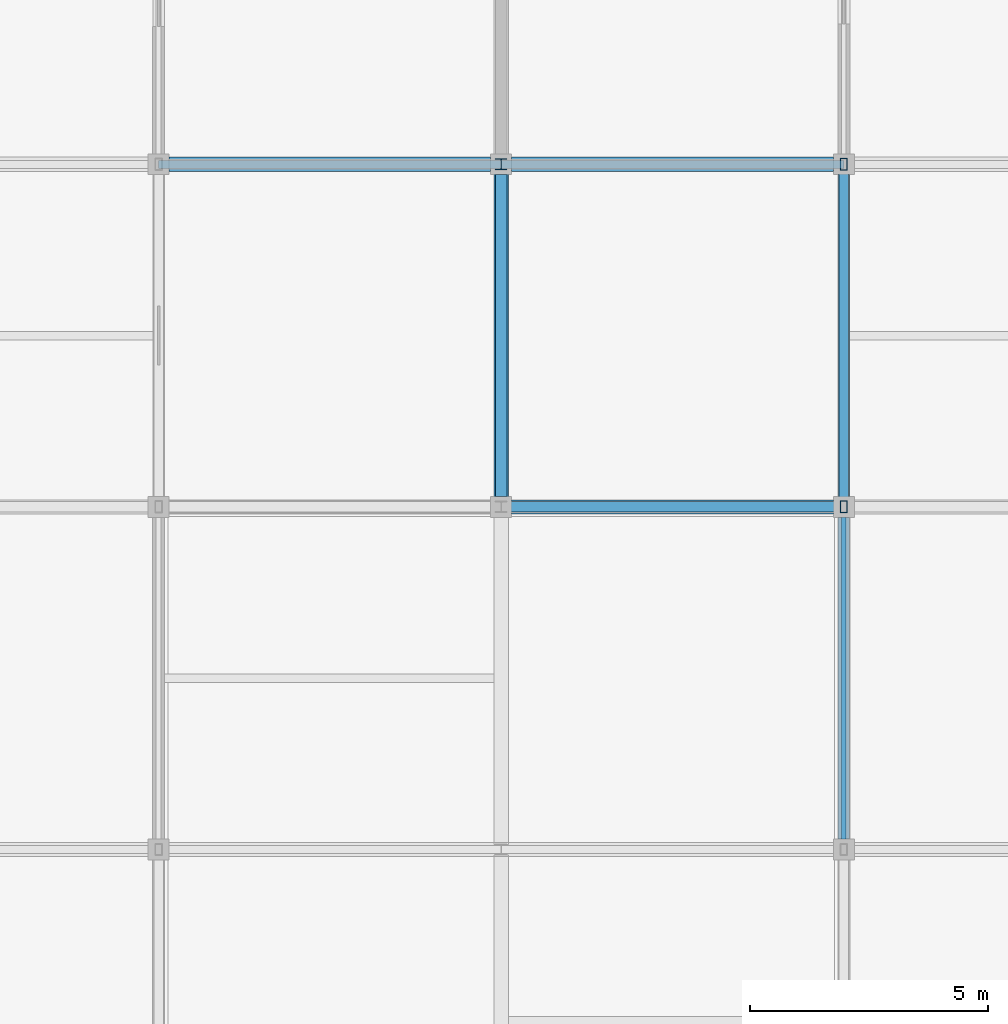
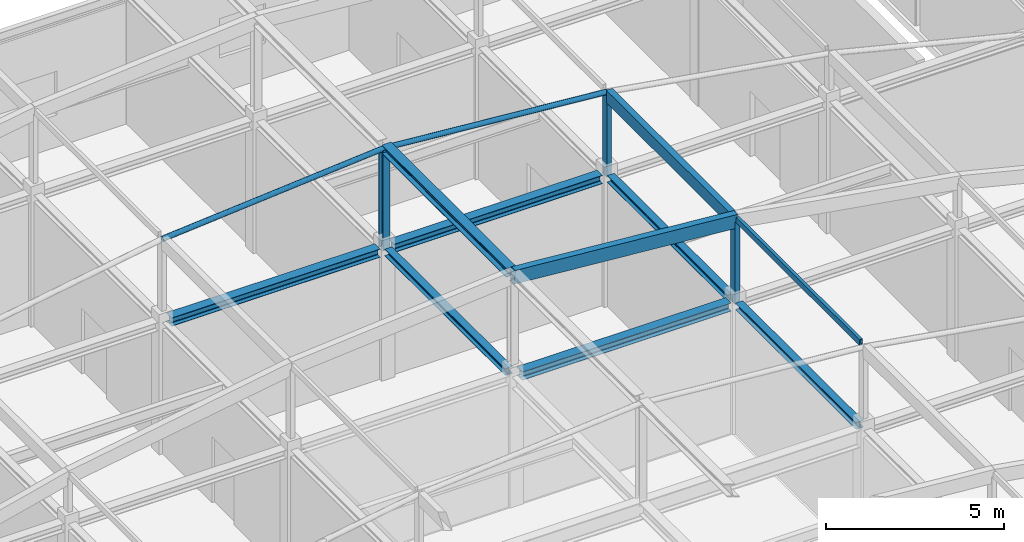
# One storey, part 10 of 23: 8 members, 7 beams.
"""IFC4 building model written with IfcOpenShell, lengths in metres."""

from ifc_helpers import new_model, si_unit, direction, frame, origin, origin_2d, place, context, subcontext, project, spatial, rectangle, hollow_rectangle, hollow_circle, i_section, extrude, material, material_profile, profile_set, type_object, element, save


model = new_model("IFC4")

# Units and contexts
model_context = context("Model", 3, precision=1e-05, world=origin(), true_north=direction((0.0, 1.0)))
body_context = subcontext(model_context, "Body", "Model", "MODEL_VIEW")
ifc_project = project(units=[si_unit("LENGTHUNIT", "METRE"), si_unit("AREAUNIT", "SQUARE_METRE"), si_unit("VOLUMEUNIT", "CUBIC_METRE"), si_unit("PLANEANGLEUNIT", "RADIAN"), si_unit("MASSUNIT", "GRAM", prefix="KILO")], contexts=[model_context])

# Site, building, storey
site_placement = place(None, origin())
site = spatial("IfcSite", under=ifc_project, at=site_placement, CompositionType="ELEMENT")
building_placement = place(site_placement, origin())
building = spatial("IfcBuilding", under=site, at=building_placement, Name="Cendaluz Park School", CompositionType="ELEMENT")
storey_placement = place(building_placement, frame((0.0, 0.0, 67.199951171875)))
storey = spatial("IfcBuildingStorey", under=building, at=storey_placement, Name="L16", CompositionType="ELEMENT", Elevation=67.199951171875)

# Beams
ifc_material_1 = material(Name="Steel S355", Category="steel")
ifc_material_profile_1 = material_profile(ifc_material_1, i_section(OverallWidth=0.300048828125, OverallDepth=0.300048828125, WebThickness=0.010986328125, FlangeThickness=0.01904296875, FilletRadius=0.027099609375, at=origin_2d()), Name="HEB 300", Category="steel")
ifc_profile_set_1 = profile_set([ifc_material_profile_1], Name="Steel S355")
beam_type_1 = type_object("IfcBeamType", Name="BM-ST03", PredefinedType="BEAM", material=ifc_profile_set_1)
beam_1_placement = place(storey_placement, frame((86.39990234375, 36.110107421875, 7.85009765625), z_axis=(0.0, 1.0, 0.0), x_axis=(-1.0, 0.0, 0.0)))
element("IfcBeam", 1, at=beam_1_placement, inside=storey, type_object=beam_type_1, Name="BM-L16-BMST03-0092", PredefinedType="BEAM", context=body_context, shape_type="SweptSolid", body=[
    extrude(i_section(OverallWidth=0.300048828125, OverallDepth=0.300048828125, WebThickness=0.010986328125, FlangeThickness=0.01904296875, FilletRadius=0.027099609375, at=origin_2d()), origin(), (0.0, 0.0, 1.0), 6.97998046875),
])
ifc_material_profile_2 = material_profile(ifc_material_1, i_section(OverallWidth=0.300048828125, OverallDepth=0.2900390625, WebThickness=0.009033203125, FlangeThickness=0.013916015625, FilletRadius=0.027099609375, at=origin_2d()), Name="HEA 300", Category="steel")
ifc_profile_set_2 = profile_set([ifc_material_profile_2], Name="Steel S355")
beam_type_2 = type_object("IfcBeamType", Name="BM-ST05", PredefinedType="BEAM", material=ifc_profile_set_2)
beam_2_placement = place(storey_placement, frame((79.419921875, 43.199951171875, 4.344970703125), z_axis=(1.0, 0.0, 0.0), x_axis=(0.0, 1.0, 0.0)))
element("IfcBeam", 2, at=beam_2_placement, inside=storey, type_object=beam_type_2, Name="BM-L16-BMST05-0016", PredefinedType="BEAM", context=body_context, shape_type="SweptSolid", body=[
    extrude(i_section(OverallWidth=0.300048828125, OverallDepth=0.2900390625, WebThickness=0.009033203125, FlangeThickness=0.013916015625, FilletRadius=0.027099609375, at=origin_2d()), origin(), (0.0, 0.0, 1.0), 6.760009765625),
])
for number, where, z_axis, x_axis, name in (
    (3, (86.6201171875, 36.0, 4.344970703125), (1.0, 0.0, 0.0), (0.0, 1.0, 0.0), "BM-L16-BMST05-0021"),
    (4, (86.6201171875, 43.199951171875, 4.344970703125), (1.0, 0.0, 0.0), (0.0, 1.0, 0.0), "BM-L16-BMST05-0022"),
):
    element("IfcBeam", number, at=place(storey_placement, frame(where, z_axis=z_axis, x_axis=x_axis)), inside=storey, type_object=beam_type_2, Name=name, PredefinedType="BEAM", context=body_context, shape_type="SweptSolid", body=[
        extrude(i_section(OverallWidth=0.300048828125, OverallDepth=0.2900390625, WebThickness=0.009033203125, FlangeThickness=0.013916015625, FilletRadius=0.027099609375, at=origin_2d()), origin(), (0.0, 0.0, 1.0), 6.759765625),
    ])
ifc_material_profile_3 = material_profile(ifc_material_1, i_section(OverallWidth=0.239990234375, OverallDepth=0.22998046875, WebThickness=0.008056640625, FlangeThickness=0.011962890625, FilletRadius=0.02099609375, at=origin_2d()), Name="HEA 240", Category="steel")
ifc_profile_set_3 = profile_set([ifc_material_profile_3], Name="Steel S355")
beam_type_3 = type_object("IfcBeamType", Name="BM-ST06", PredefinedType="BEAM", material=ifc_profile_set_3)
for number, where, z_axis, x_axis, name in (
    (5, (86.39990234375, 36.219970703125, 4.375), (0.0, 1.0, 0.0), (-1.0, 0.0, 0.0), "BM-L16-BMST06-0056"),
    (6, (93.60009765625, 29.02001953125, 4.375), (0.0, 1.0, 0.0), (-1.0, 0.0, 0.0), "BM-L16-BMST06-0061"),
    (7, (93.60009765625, 36.219970703125, 4.375), (0.0, 1.0, 0.0), (-1.0, 0.0, 0.0), "BM-L16-BMST06-0062"),
):
    element("IfcBeam", number, at=place(storey_placement, frame(where, z_axis=z_axis, x_axis=x_axis)), inside=storey, type_object=beam_type_3, Name=name, PredefinedType="BEAM", context=body_context, shape_type="SweptSolid", body=[
        extrude(i_section(OverallWidth=0.239990234375, OverallDepth=0.22998046875, WebThickness=0.008056640625, FlangeThickness=0.011962890625, FilletRadius=0.02099609375, at=origin_2d()), origin(), (0.0, 0.0, 1.0), 6.760009765625),
    ])

# Members
ifc_material_profile_4 = material_profile(ifc_material_1, hollow_circle(Radius=0.083984375, WallThickness=0.008056640625, at=origin_2d()), Name="CHS 168x8", Category="steel")
ifc_profile_set_4 = profile_set([ifc_material_profile_4], Name="Steel S355")
member_type_1 = type_object("IfcMemberType", Name="MB-CH02", PredefinedType="CHORD", material=ifc_profile_set_4)
member_1_placement = place(storey_placement, frame((79.199951171875, 43.199951171875, 7.179931640625), z_axis=(0.996544592923, 0.0, 0.083059462528), x_axis=(0.0, 1.0, 0.0)))
element("IfcMember", 8, at=member_1_placement, inside=storey, type_object=member_type_1, Name="MB-L16-MBCH02-0052", PredefinedType="CHORD", context=body_context, shape_type="SweptSolid", body=[
    extrude(hollow_circle(Radius=0.083984375, WallThickness=0.008056640625, at=origin_2d()), origin(), (0.0, 0.0, 1.0), 7.224853515625),
])
member_2_placement = place(storey_placement, frame((86.39990234375, 43.199951171875, 7.780029296875), z_axis=(0.996544826035, 0.0, -0.083056665618), x_axis=(0.0, 1.0, 0.0)))
element("IfcMember", 9, at=member_2_placement, inside=storey, type_object=member_type_1, Name="MB-L16-MBCH02-0053", PredefinedType="CHORD", context=body_context, shape_type="SweptSolid", body=[
    extrude(hollow_circle(Radius=0.083984375, WallThickness=0.008056640625, at=origin_2d()), origin(), (0.0, 0.0, 1.0), 7.22509765625),
])
ifc_material_2 = material(Name="Glulam GL28h", Category="wood")
ifc_material_profile_5 = material_profile(ifc_material_2, rectangle(XDim=0.219970703125, YDim=0.4599609375, at=origin_2d()), Name="GL28h 220x460", Category="wood")
ifc_profile_set_5 = profile_set([ifc_material_profile_5], Name="Glulam GL28h")
member_type_2 = type_object("IfcMemberType", Name="MB-CH03", PredefinedType="CHORD", material=ifc_profile_set_5)
member_3_placement = place(storey_placement, frame((86.39990234375, 36.0, 7.780029296875), z_axis=(0.996544826035, 0.0, -0.083056665618), x_axis=(0.0, 1.0, 0.0)))
element("IfcMember", 10, at=member_3_placement, inside=storey, type_object=member_type_2, Name="MB-L16-MBCH03-0042", PredefinedType="CHORD", context=body_context, shape_type="SweptSolid", body=[
    extrude(rectangle(XDim=0.219970703125, YDim=0.4599609375, at=origin_2d()), origin(), (0.0, 0.0, 1.0), 7.22509765625),
])
ifc_material_profile_6 = material_profile(ifc_material_1, hollow_rectangle(XDim=0.10009765625, YDim=0.199951171875, WallThickness=0.008056640625, at=origin_2d()), Name="RHS 200x100x8", Category="steel")
ifc_profile_set_6 = profile_set([ifc_material_profile_6], Name="Steel S355")
member_type_3 = type_object("IfcMemberType", Name="MB-PR03", PredefinedType="PURLIN", material=ifc_profile_set_6)
member_4_placement = place(storey_placement, frame((93.60009765625, 28.93994140625, 7.25), z_axis=(0.0, 1.0, 0.0), x_axis=(-1.0, 0.0, 0.0)))
element("IfcMember", 11, at=member_4_placement, inside=storey, type_object=member_type_3, Name="MB-L16-MBPR03-0088", PredefinedType="PURLIN", context=body_context, shape_type="SweptSolid", body=[
    extrude(hollow_rectangle(XDim=0.10009765625, YDim=0.199951171875, WallThickness=0.008056640625, at=origin_2d()), origin(), (0.0, 0.0, 1.0), 6.920166015625),
])
ifc_material_profile_7 = material_profile(ifc_material_2, rectangle(XDim=0.199951171875, YDim=0.419921875, at=origin_2d()), Name="GL28h 200x420", Category="wood")
ifc_profile_set_7 = profile_set([ifc_material_profile_7], Name="Glulam GL28h")
member_type_4 = type_object("IfcMemberType", Name="MB-PR04", PredefinedType="PURLIN", material=ifc_profile_set_7)
member_5_placement = place(storey_placement, frame((93.60009765625, 36.139892578125, 7.14013671875), z_axis=(0.0, 1.0, 0.0), x_axis=(-1.0, 0.0, 0.0)))
element("IfcMember", 12, at=member_5_placement, inside=storey, type_object=member_type_4, Name="MB-L16-MBPR04-0092", PredefinedType="PURLIN", context=body_context, shape_type="SweptSolid", body=[
    extrude(rectangle(XDim=0.199951171875, YDim=0.419921875, at=origin_2d()), origin(), (0.0, 0.0, 1.0), 6.920166015625),
])
ifc_material_profile_8 = material_profile(ifc_material_1, i_section(OverallWidth=0.239990234375, OverallDepth=0.22998046875, WebThickness=0.008056640625, FlangeThickness=0.011962890625, FilletRadius=0.02099609375, at=origin_2d()), Name="HEA 240", Category="steel")
ifc_profile_set_8 = profile_set([ifc_material_profile_8], Name="Steel S355")
member_type_5 = type_object("IfcMemberType", Name="MST-01", PredefinedType="STRUT", material=ifc_profile_set_8)
member_6_placement = place(storey_placement, frame((86.39990234375, 43.199951171875, 4.35009765625), z_axis=(0.0, 0.0, 1.0), x_axis=(1.0, 0.0, 0.0)))
element("IfcMember", 13, at=member_6_placement, inside=storey, type_object=member_type_5, Name="MB-L16-MBST01-0045", PredefinedType="STRUT", context=body_context, shape_type="SweptSolid", body=[
    extrude(i_section(OverallWidth=0.239990234375, OverallDepth=0.22998046875, WebThickness=0.008056640625, FlangeThickness=0.011962890625, FilletRadius=0.02099609375, at=origin_2d()), origin(), (0.0, 0.0, 1.0), 3.429931640625),
])
ifc_material_profile_9 = material_profile(ifc_material_1, hollow_rectangle(XDim=0.14990234375, YDim=0.25, WallThickness=0.010009765625, at=origin_2d()), Name="RHS 250x150x10", Category="steel")
ifc_profile_set_9 = profile_set([ifc_material_profile_9], Name="Steel S355")
member_type_6 = type_object("IfcMemberType", Name="MST-02", PredefinedType="STRUT", material=ifc_profile_set_9)
for number, where, z_axis, x_axis, name in (
    (14, (93.60009765625, 36.0, 4.35009765625), (0.0, 0.0, 1.0), (1.0, 0.0, 0.0), "MB-L16-MBST02-0037"),
    (15, (93.60009765625, 43.199951171875, 4.35009765625), (0.0, 0.0, 1.0), (1.0, 0.0, 0.0), "MB-L16-MBST02-0048"),
):
    element("IfcMember", number, at=place(storey_placement, frame(where, z_axis=z_axis, x_axis=x_axis)), inside=storey, type_object=member_type_6, Name=name, PredefinedType="STRUT", context=body_context, shape_type="SweptSolid", body=[
        extrude(hollow_rectangle(XDim=0.14990234375, YDim=0.25, WallThickness=0.010009765625, at=origin_2d()), origin(), (0.0, 0.0, 1.0), 2.829833984375),
    ])

save(model, "model.ifc")
